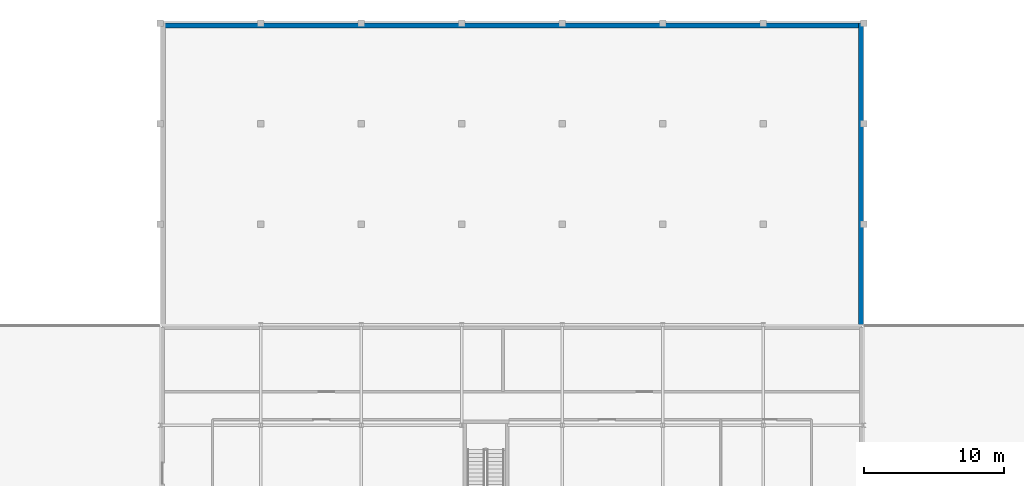
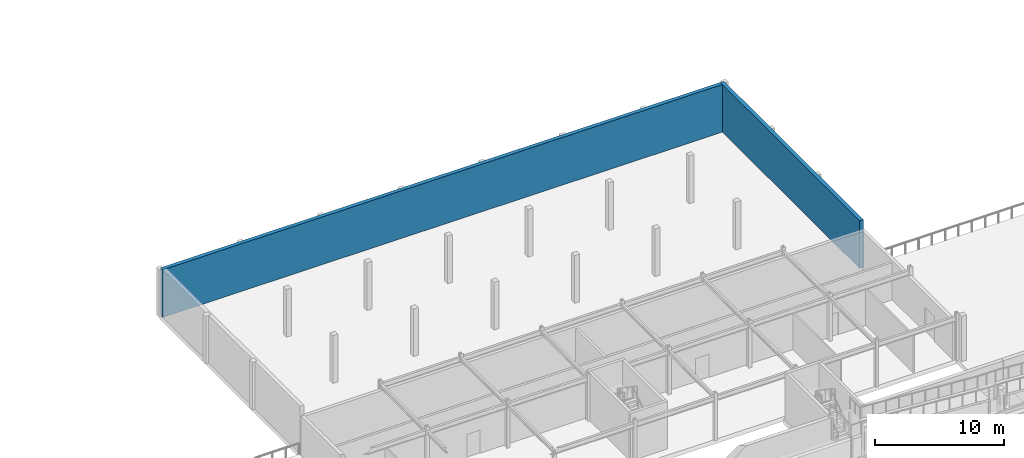
# One storey, part 64 of 85: 2 walls.
"""IFC4 building model written with IfcOpenShell, lengths in metres."""

from ifc_helpers import new_model, si_unit, direction, frame, frame_2d, origin, place, context, subcontext, project, spatial, rectangle, extrude, material, layer, layer_set, type_object, element, save


model = new_model("IFC4")

# Units and contexts
model_context = context("Model", 3, precision=1e-05, world=origin(), true_north=direction((0.0, 1.0)))
body_context = subcontext(model_context, "Body", "Model", "MODEL_VIEW")
ifc_project = project(units=[si_unit("LENGTHUNIT", "METRE"), si_unit("AREAUNIT", "SQUARE_METRE"), si_unit("VOLUMEUNIT", "CUBIC_METRE"), si_unit("PLANEANGLEUNIT", "RADIAN"), si_unit("MASSUNIT", "GRAM", prefix="KILO")], contexts=[model_context])

# Site, building, storey
site_placement = place(None, origin())
site = spatial("IfcSite", under=ifc_project, at=site_placement, CompositionType="ELEMENT")
building_placement = place(site_placement, origin())
building = spatial("IfcBuilding", under=site, at=building_placement, Name="Ochrevale Crest", CompositionType="ELEMENT")
storey_placement = place(building_placement, origin())
storey = spatial("IfcBuildingStorey", under=building, at=storey_placement, Name="L00", CompositionType="ELEMENT", Elevation=0.0)

# Walls
ifc_material = material(Name="Concrete C40/50", Category="concrete")
ifc_layer = layer(ifc_material, 0.340087890625)
ifc_layer_set = layer_set([ifc_layer], Name="Concrete C40/50")
wall_type = type_object("IfcWallType", Name="WL-RET-340", PredefinedType="USERDEFINED", material=ifc_layer_set)
wall_1_placement = place(storey_placement, frame((57.625, 115.030029296875, 0.0), z_axis=(0.0, 0.0, 1.0), x_axis=(1.0, 0.0, 0.0)))
element("IfcWall", 1, at=wall_1_placement, inside=storey, type_object=wall_type, Name="Nursery play court north retaining wall", ObjectType="RETAININGWALL", PredefinedType="USERDEFINED", context=body_context, shape_type="SweptSolid", body=[
    extrude(rectangle(XDim=50.35009765625, YDim=0.340087890625, at=frame_2d((25.175048828125, 0.0))), origin(), (0.0, 0.0, 1.0), 4.5),
])
wall_2_placement = place(storey_placement, frame((107.800048828125, 93.6201171875, 0.0), z_axis=(0.0, 0.0, 1.0), x_axis=(0.0, 1.0, 0.0)))
element("IfcWall", 2, at=wall_2_placement, inside=storey, type_object=wall_type, Name="Nursery play court east retaining wall", ObjectType="RETAININGWALL", PredefinedType="USERDEFINED", context=body_context, shape_type="SweptSolid", body=[
    extrude(rectangle(XDim=21.579833984375, YDim=0.340087890625, at=frame_2d((10.7900390625, 0.0))), origin(), (0.0, 0.0, 1.0), 4.5),
])

save(model, "model.ifc")
